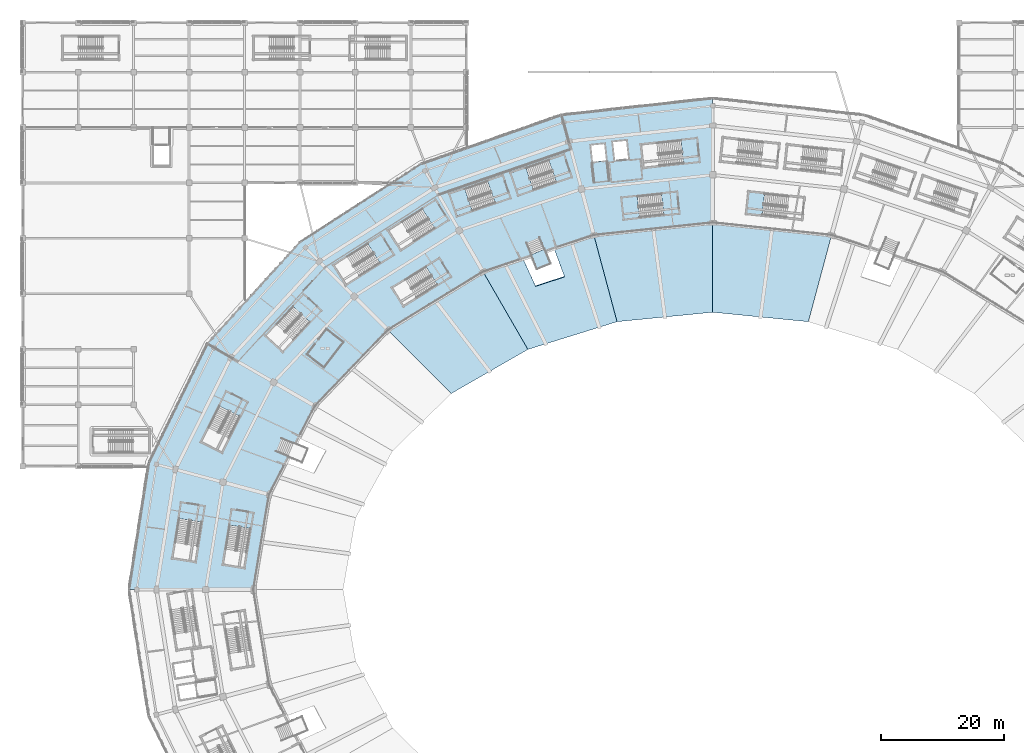
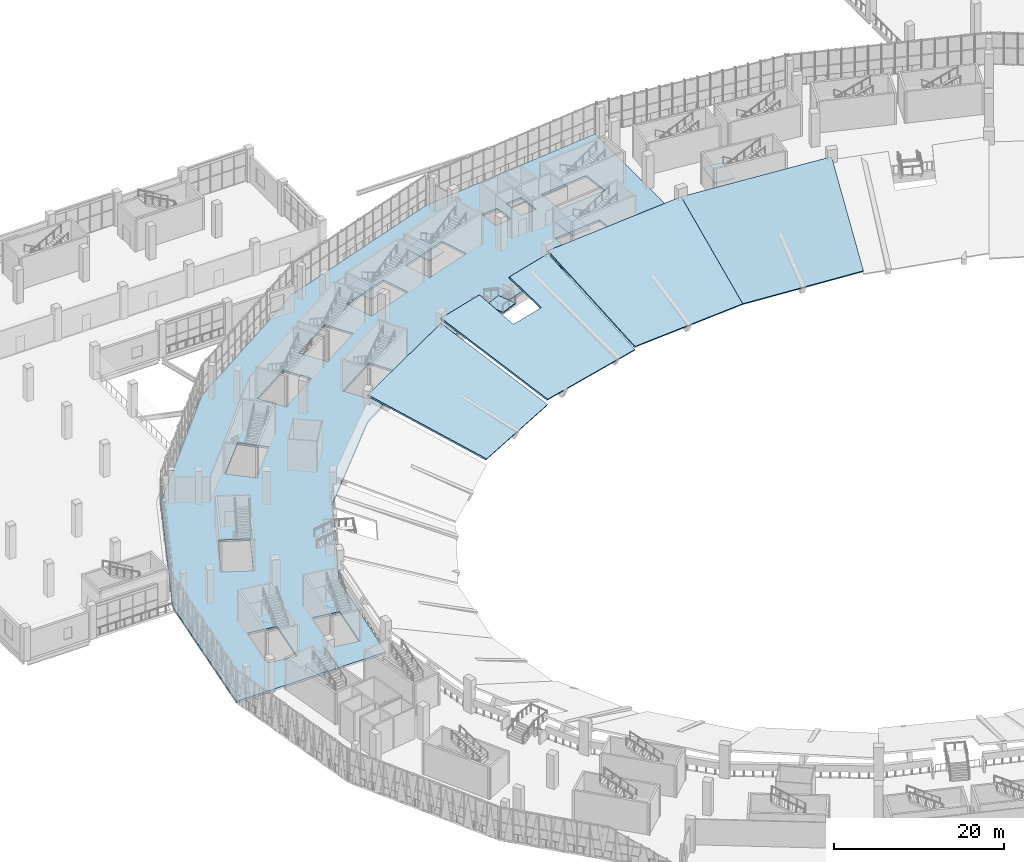
# One storey, part 90 of 183: 10 slabs, 5 elements without a shape of their own.
"""IFC4 building model written with IfcOpenShell, lengths in metres."""

from ifc_helpers import new_model, si_unit, direction, frame, origin, place, context, subcontext, project, spatial, polyline, outline, extrude, material, layer, layer_set, type_object, element, aggregate, save


model = new_model("IFC4")

# Units and contexts
model_context = context("Model", 3, precision=1e-05, world=origin(), true_north=direction((0.0, 1.0)))
body_context = subcontext(model_context, "Body", "Model", "MODEL_VIEW")
ifc_project = project(units=[si_unit("LENGTHUNIT", "METRE"), si_unit("AREAUNIT", "SQUARE_METRE"), si_unit("VOLUMEUNIT", "CUBIC_METRE"), si_unit("PLANEANGLEUNIT", "RADIAN"), si_unit("MASSUNIT", "GRAM", prefix="KILO")], contexts=[model_context])

# Site, building, storey
site_placement = place(None, origin())
site = spatial("IfcSite", under=ifc_project, at=site_placement, CompositionType="ELEMENT")
building_placement = place(site_placement, origin())
building = spatial("IfcBuilding", under=site, at=building_placement, Name="Zevraka Park Crest Stadium", CompositionType="ELEMENT")
storey_placement = place(building_placement, frame((0.0, 0.0, 5.39990234375)))
storey = spatial("IfcBuildingStorey", under=building, at=storey_placement, Name="L01", CompositionType="ELEMENT", Elevation=5.39990234375)

# Slab
ifc_material_1 = material(Name="Concrete C35/45", Category="concrete")
ifc_layer_1 = layer(ifc_material_1, 0.300048828125)
ifc_layer_set_1 = layer_set([ifc_layer_1], Name="Concrete C35/45")
slab_type_1 = type_object("IfcSlabType", Name="FS01", PredefinedType="FLOOR", material=ifc_layer_set_1)
slab_1_placement = place(storey_placement, frame((0.0, 0.0, -0.2998046875)))
element("IfcSlab", 1, at=slab_1_placement, inside=storey, type_object=slab_type_1, Name="Bowl Concourse Ring Slab L01 Q2-NW-1", PredefinedType="FLOOR", context=body_context, shape_type="SweptSolid", body=[
    extrude(outline(polyline([(92.718017578125, 149.472900390625), (74.75, 143.529052734375), (59.321044921875, 134.072998046875), (47.48095703125, 121.75), (40.0390625, 107.39990234375), (37.5, 92.0), (17.199951171875, 92.0), (20.429931640625, 112.654052734375), (29.90087890625, 131.89990234375), (44.966064453125, 148.427001953125), (64.60009765625, 161.10888671875), (87.464111328125, 169.0810546875), (112.0, 171.800048828125), (112.0, 151.5), (92.718017578125, 149.472900390625)]), holes=[polyline([(35.925048828125, 95.510009765625), (36.964111328125, 101.89599609375), (33.549072265625, 102.451904296875), (32.510009765625, 96.06591796875), (35.925048828125, 95.510009765625)]), polyline([(24.30810546875, 97.093017578125), (28.02099609375, 96.5009765625), (29.0458984375, 102.93994140625), (25.3330078125, 103.531005859375), (24.30810546875, 97.093017578125)]), polyline([(28.968994140625, 115.962890625), (32.3310546875, 114.278076171875), (35.251953125, 120.10791015625), (31.889892578125, 121.7919921875), (28.968994140625, 115.962890625)]), polyline([(42.18310546875, 130.618896484375), (46.617919921875, 135.39794921875), (43.862060546875, 137.9560546875), (39.427001953125, 133.177001953125), (42.18310546875, 130.618896484375)]), polyline([(59.967041015625, 140.97998046875), (61.7919921875, 138.0400390625), (67.2890625, 141.450927734375), (65.465087890625, 144.39111328125), (59.967041015625, 140.97998046875)]), polyline([(50.470947265625, 144.6689453125), (52.486083984375, 141.493896484375), (57.990966796875, 144.987060546875), (55.97705078125, 148.162109375), (50.470947265625, 144.6689453125)]), polyline([(61.35205078125, 147.118896484375), (66.85693359375, 150.612060546875), (64.843017578125, 153.787109375), (59.3369140625, 150.2939453125), (61.35205078125, 147.118896484375)]), polyline([(97.220947265625, 155.56689453125), (97.587890625, 152.1259765625), (104.02099609375, 152.81103515625), (103.655029296875, 156.2509765625), (97.220947265625, 155.56689453125)]), polyline([(69.285888671875, 156.196044921875), (70.50390625, 152.638916015625), (76.673095703125, 154.7509765625), (75.4541015625, 158.30810546875), (69.285888671875, 156.196044921875)]), polyline([(79.219970703125, 159.596923828125), (80.43798828125, 156.0400390625), (86.60693359375, 158.152099609375), (85.387939453125, 161.708984375), (79.219970703125, 159.596923828125)]), polyline([(100.365966796875, 164.22509765625), (100.77294921875, 160.487060546875), (107.2548828125, 161.19189453125), (106.847900390625, 164.929931640625), (100.365966796875, 164.22509765625)]), polyline([(92.22802734375, 164.09912109375), (92.52099609375, 161.4150390625), (94.7080078125, 161.653076171875), (94.4150390625, 164.3369140625), (92.22802734375, 164.09912109375)]), polyline([(95.7900390625, 164.638916015625), (96.114990234375, 161.656005859375), (98.302001953125, 161.89501953125), (97.97705078125, 164.8779296875), (95.7900390625, 164.638916015625)])]), origin(), (0.0, 0.0, 1.0), 0.2998046875),
])

# Stair, slab
ifc_material_2 = material(Name="Concrete C35/45", Category="concrete")
stair_type_1 = type_object("IfcStairType", Name="STA2", PredefinedType="HALF_TURN_STAIR", material=ifc_material_2)
stair_1_placement = place(storey_placement, origin())
stair_1 = element("IfcStair", 2, at=stair_1_placement, inside=storey, type_object=stair_type_1, Name="L01 Protected Concourse Exit Stair ST08", PredefinedType="HALF_TURN_STAIR")
ifc_material_3 = material(Name="Concrete C35/45", Category="concrete")
ifc_layer_2 = layer(ifc_material_3, 0.199951171875)
ifc_layer_set_2 = layer_set([ifc_layer_2], Name="Concrete C35/45")
slab_type_2 = type_object("IfcSlabType", Name="LS01", PredefinedType="LANDING", material=ifc_layer_set_2)
slab_2_placement = place(storey_placement, frame((0.0, 0.0, 2.2001953125)))
slab_2 = element("IfcSlab", 3, at=slab_2_placement, type_object=slab_type_2, Name="ST08 landing 1", PredefinedType="LANDING", context=body_context, shape_type="SweptSolid", body=[
    extrude(outline(polyline([(81.689453125, 160.442626953125), (79.22021484375, 159.596923828125), (80.438232421875, 156.039794921875), (82.907470703125, 156.885498046875), (81.689453125, 160.442626953125)])), origin(), (0.0, 0.0, 1.0), 0.199951171875),
])
aggregate(stair_1, [slab_2])

stair_2_placement = place(storey_placement, origin())
stair_2 = element("IfcStair", 4, at=stair_2_placement, inside=storey, type_object=stair_type_1, Name="L01 Protected Paired Concourse Exit Stair ST27", PredefinedType="HALF_TURN_STAIR")
slab_3_placement = place(storey_placement, frame((0.0, 0.0, 2.2001953125)))
slab_3 = element("IfcSlab", 5, at=slab_3_placement, type_object=slab_type_2, Name="ST27 landing 1", PredefinedType="LANDING", context=body_context, shape_type="SweptSolid", body=[
    extrude(outline(polyline([(71.75537109375, 157.04150390625), (69.2861328125, 156.196044921875), (70.504150390625, 152.638916015625), (72.973388671875, 153.484375), (71.75537109375, 157.04150390625)])), origin(), (0.0, 0.0, 1.0), 0.199951171875),
])
aggregate(stair_2, [slab_3])

ifc_material_4 = material(Name="Concrete C35/45", Category="concrete")
stair_type_2 = type_object("IfcStairType", Name="STB2", PredefinedType="HALF_TURN_STAIR", material=ifc_material_4)
stair_3_placement = place(storey_placement, origin())
stair_3 = element("IfcStair", 6, at=stair_3_placement, inside=storey, type_object=stair_type_2, Name="L01 Protected Concourse Relief Stair ST35", PredefinedType="HALF_TURN_STAIR")
slab_4_placement = place(storey_placement, frame((0.0, 0.0, 2.2001953125)))
slab_4 = element("IfcSlab", 7, at=slab_4_placement, type_object=slab_type_2, Name="ST35 landing 1", PredefinedType="LANDING", context=body_context, shape_type="SweptSolid", body=[
    extrude(outline(polyline([(120.4248046875, 156.243408203125), (117.87939453125, 156.514404296875), (117.512939453125, 153.07373046875), (120.05859375, 152.802734375), (120.4248046875, 156.243408203125)])), origin(), (0.0, 0.0, 1.0), 0.199951171875),
])
aggregate(stair_3, [slab_4])

stair_4_placement = place(storey_placement, origin())
stair_4 = element("IfcStair", 8, at=stair_4_placement, inside=storey, type_object=stair_type_2, Name="L01 Protected Concourse Relief Stair ST36", PredefinedType="HALF_TURN_STAIR")
slab_5_placement = place(storey_placement, frame((0.0, 0.0, 2.2001953125)))
slab_5 = element("IfcSlab", 9, at=slab_5_placement, type_object=slab_type_2, Name="ST36 landing 1", PredefinedType="LANDING", context=body_context, shape_type="SweptSolid", body=[
    extrude(outline(polyline([(99.766845703125, 155.837646484375), (97.22119140625, 155.566650390625), (97.587646484375, 152.1259765625), (100.133056640625, 152.39697265625), (99.766845703125, 155.837646484375)])), origin(), (0.0, 0.0, 1.0), 0.199951171875),
])
aggregate(stair_4, [slab_5])

ifc_material_5 = material(Name="Concrete C35/45", Category="concrete")
stair_type_3 = type_object("IfcStairType", Name="VST1", PredefinedType="STRAIGHT_RUN_STAIR", material=ifc_material_5)
stair_5_placement = place(storey_placement, origin())
stair_5 = element("IfcStair", 10, at=stair_5_placement, inside=storey, type_object=stair_type_3, Name="Vomitory Stair VS-03", PredefinedType="STRAIGHT_RUN_STAIR")
ifc_material_6 = material(Name="Concrete C35/45", Category="concrete")
ifc_layer_3 = layer(ifc_material_6, 0.179931640625)
ifc_layer_set_3 = layer_set([ifc_layer_3], Name="Concrete C35/45")
slab_type_3 = type_object("IfcSlabType", Name="LS02", PredefinedType="LANDING", material=ifc_layer_set_3)
slab_6_placement = place(storey_placement, frame((0.0, 0.0, 1.02001953125)))
slab_6 = element("IfcSlab", 11, at=slab_6_placement, type_object=slab_type_3, Name="VST1 landing 1", PredefinedType="LANDING", context=body_context, shape_type="SweptSolid", body=[
    extrude(outline(polyline([(82.5009765625, 146.342041015625), (83.468017578125, 144.009033203125), (85.68505859375, 144.927001953125), (84.718994140625, 147.260009765625), (82.5009765625, 146.342041015625)])), origin(), (0.0, 0.0, 1.0), 0.18017578125),
])
aggregate(stair_5, [slab_6])

# Slabs
ifc_material_7 = material(Name="Concrete C35/45", Category="concrete")
ifc_layer_4 = layer(ifc_material_7, 0.25)
ifc_layer_set_4 = layer_set([ifc_layer_4], Name="Concrete C35/45")
slab_type_4 = type_object("IfcSlabType", Name="STL1", PredefinedType="USERDEFINED", material=ifc_layer_set_4)
slab_7_placement = place(storey_placement, frame((127.529052734375, 135.467041015625, -3.08349609375), z_axis=(-0.054465828111, -0.413666018695, 0.908798051574), x_axis=(-0.995052106198, 0.098227153194, -0.014924219484)))
element("IfcSlab", 12, at=slab_7_placement, inside=storey, type_object=slab_type_4, Name="Lower Tier Raked Seating Slab 05", ObjectType="SEATING TIER", PredefinedType="USERDEFINED", context=body_context, shape_type="SweptSolid", body=[
    extrude(outline(polyline([(0.0, 0.0), (15.606270829883039, 8.326672684688674e-17), (16.93206324516256, -15.87619486979239), (-2.4571062015499865, -15.740790839660301), (0.0, 0.0)])), origin(), (0.0, 0.0, -1.0), 0.25),
])
slab_8_placement = place(storey_placement, frame((112.0, 137.0, -3.31640625), z_axis=(0.054465828111, -0.413666018695, 0.908798051574), x_axis=(-0.995052106198, -0.098227153194, 0.014924219484)))
element("IfcSlab", 13, at=slab_8_placement, inside=storey, type_object=slab_type_4, Name="Lower Tier Raked Seating Slab 06", ObjectType="SEATING TIER", PredefinedType="USERDEFINED", context=body_context, shape_type="SweptSolid", body=[
    extrude(outline(polyline([(0.0, 0.0), (15.606270829883039, -8.326672684688674e-17), (18.063377031433024, -15.740790839660301), (-1.3257924152795209, -15.876194869792387), (0.0, 0.0)])), origin(), (0.0, 0.0, -1.0), 0.25),
])
slab_9_placement = place(storey_placement, frame((96.470947265625, 135.467041015625, -3.517578125), z_axis=(0.159657844847, -0.38546840935, 0.908803321941), x_axis=(-0.954130821323, -0.296445845259, 0.041883608131)))
element("IfcSlab", 14, at=slab_9_placement, inside=storey, type_object=slab_type_4, Name="Lower Tier Raked Seating Slab 07", ObjectType="SEATING TIER", PredefinedType="USERDEFINED", context=body_context, shape_type="SweptSolid", body=[
    extrude(outline(polyline([(0.0, 0.0), (15.166631837628906, 3.885780586188048e-16), (18.637718005547804, -15.54932033384426), (11.822449758424423, -15.686176936828822), (11.1033221957175, -10.352900012660008), (6.159775305708769, -10.422296521120057), (6.520511215086921, -15.791827755735074), (-0.2947672575267279, -15.928583011748259), (0.0, 0.0)])), origin(), (0.0, 0.0, -1.0), 0.25),
])
slab_10_placement = place(storey_placement, frame((82.0, 130.970947265625, -3.634033203125), z_axis=(0.253986817766, -0.331008638515, 0.90880359684), x_axis=(-0.865142273131, -0.497870353096, 0.060447983836)))
element("IfcSlab", 15, at=slab_10_placement, inside=storey, type_object=slab_type_4, Name="Lower Tier Raked Seating Slab 08", ObjectType="SEATING TIER", PredefinedType="USERDEFINED", context=body_context, shape_type="SweptSolid", body=[
    extrude(outline(polyline([(0.0, 0.0), (14.362969225646921, -2.7755575615628914e-16), (18.52753023658509, -15.377243978186552), (0.41893567269099374, -15.926528025140568), (0.0, 0.0)])), origin(), (0.0, 0.0, -1.0), 0.25),
])

save(model, "model.ifc")
